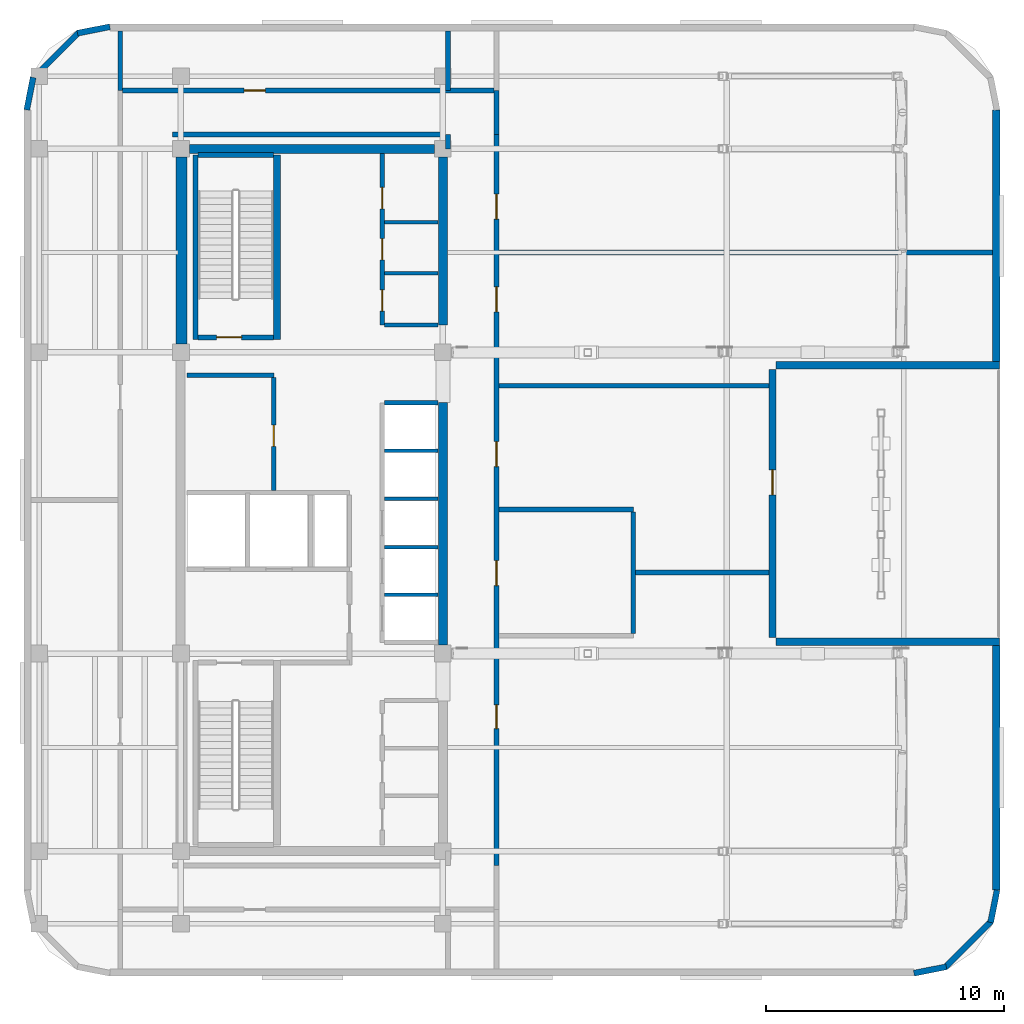
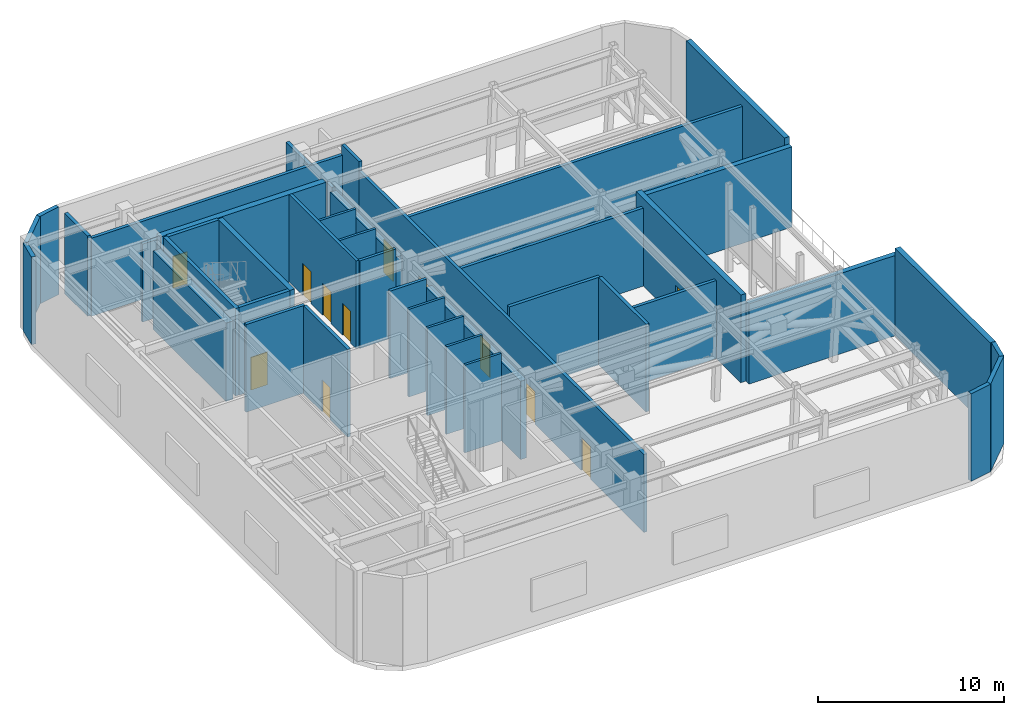
# One storey, part 7 of 12: 42 walls, 12 doors, 12 openings.
"""IFC4 building model written with IfcOpenShell, lengths in metres."""

from ifc_helpers import new_model, si_unit, direction, frame, frame_2d, origin, place, context, subcontext, project, spatial, rectangle, extrude, material, layer, layer_set, type_object, element, fill, save


model = new_model("IFC4")

# Units and contexts
model_context = context("Model", 3, precision=1e-05, world=origin(), true_north=direction((0.0, 1.0)))
body_context = subcontext(model_context, "Body", "Model", "MODEL_VIEW")
ifc_project = project(units=[si_unit("LENGTHUNIT", "METRE"), si_unit("AREAUNIT", "SQUARE_METRE"), si_unit("VOLUMEUNIT", "CUBIC_METRE"), si_unit("PLANEANGLEUNIT", "RADIAN"), si_unit("MASSUNIT", "GRAM", prefix="KILO")], contexts=[model_context])

# Site, building, storey
site_placement = place(None, origin())
site = spatial("IfcSite", under=ifc_project, at=site_placement, CompositionType="ELEMENT")
building_placement = place(site_placement, origin())
building = spatial("IfcBuilding", under=site, at=building_placement, Name="Ochreholt Gables", CompositionType="ELEMENT")
storey_placement = place(building_placement, frame((0.0, 0.0, 199.800048828125)))
storey = spatial("IfcBuildingStorey", under=building, at=storey_placement, Name="L52", CompositionType="ELEMENT", Elevation=199.800048828125)

# Walls
ifc_material_1 = material(Name="Concrete 50 MPa", Category="concrete")
ifc_layer_1 = layer(ifc_material_1, 0.3798828125, Name="Concrete 50 MPa")
ifc_layer_set_1 = layer_set([ifc_layer_1], Name="Concrete 50 MPa")
wall_type_1 = type_object("IfcWallType", Name="WALL-CSW-380", PredefinedType="SHEAR", material=ifc_layer_set_1)
wall_1_placement = place(storey_placement, frame((35.2099609375, 17.89990234375, 0.0), z_axis=(0.0, 0.0, 1.0), x_axis=(0.0, 1.0, 0.0)))
element("IfcWall", 1, at=wall_1_placement, inside=storey, type_object=wall_type_1, Name="L52 Core Central-East Shear Wall", PredefinedType="SHEAR", context=body_context, shape_type="SweptSolid", body=[
    extrude(rectangle(XDim=10.2001953125, YDim=0.3798828125, at=frame_2d((5.10009765625, 0.0))), origin(), (0.0, 0.0, 1.0), 5.14794921875),
])
wall_2_placement = place(storey_placement, frame((35.2099609375, 31.35009765625, 0.0), z_axis=(0.0, 0.0, 1.0), x_axis=(0.0, 1.0, 0.0)))
element("IfcWall", 2, at=wall_2_placement, inside=storey, type_object=wall_type_1, Name="L52 Core North-East Shear Wall", PredefinedType="SHEAR", context=body_context, shape_type="SweptSolid", body=[
    extrude(rectangle(XDim=7.0498046875, YDim=0.3798828125, at=frame_2d((3.52490234375, 0.0))), origin(), (0.0, 0.0, 1.0), 5.14794921875),
])
wall_3_placement = place(storey_placement, frame((24.550048828125, 38.75, 0.0), z_axis=(0.0, 0.0, 1.0), x_axis=(1.0, 0.0, 0.0)))
element("IfcWall", 3, at=wall_3_placement, inside=storey, type_object=wall_type_1, Name="L52 Core North Shear Wall", PredefinedType="SHEAR", context=body_context, shape_type="SweptSolid", body=[
    extrude(rectangle(XDim=10.300048828125, YDim=0.3798828125, at=frame_2d((5.14990234375, 0.0))), origin(), (0.0, 0.0, 1.0), 5.760009765625),
])
ifc_material_2 = material(Name="Concrete 60 MPa", Category="concrete")
ifc_layer_2 = layer(ifc_material_2, 0.449951171875, Name="Concrete 60 MPa")
ifc_layer_set_2 = layer_set([ifc_layer_2], Name="Concrete 60 MPa")
wall_type_2 = type_object("IfcWallType", Name="WALL-CSW-450", PredefinedType="SHEAR", material=ifc_layer_set_2)
wall_4_placement = place(storey_placement, frame((24.22509765625, 30.550048828125, 0.0), z_axis=(0.0, 0.0, 1.0), x_axis=(0.0, 1.0, 0.0)))
element("IfcWall", 4, at=wall_4_placement, inside=storey, type_object=wall_type_2, Name="L52 Core West Shear Wall WN", PredefinedType="SHEAR", context=body_context, shape_type="SweptSolid", body=[
    extrude(rectangle(XDim=7.849853515625, YDim=0.449951171875, at=frame_2d((3.9248046875, 0.0))), origin(), (0.0, 0.0, 1.0), 5.14794921875),
])
ifc_material_3 = material(Name="Precast concrete 40 MPa", Category="concrete")
ifc_layer_3 = layer(ifc_material_3, 0.25, Name="Precast concrete 40 MPa")
ifc_layer_set_3 = layer_set([ifc_layer_3], Name="Precast concrete 40 MPa")
wall_type_3 = type_object("IfcWallType", Name="WALL-EXT-CNR", PredefinedType="SOLIDWALL", material=ifc_layer_set_3)
wall_5_placement = place(storey_placement, frame((54.9833984375, 4.124267578125, 0.0), z_axis=(0.0, 0.0, 1.0), x_axis=(0.980809899341, 0.19496651342, 0.0)))
element("IfcWall", 5, at=wall_5_placement, inside=storey, type_object=wall_type_3, Name="L52 Rounded Corner Wall SE-1", PredefinedType="SOLIDWALL", context=body_context, shape_type="SweptSolid", body=[
    extrude(rectangle(XDim=1.388671875, YDim=0.25, at=frame_2d((0.6943359375, 0.0))), origin(), (0.0, 0.0, 1.0), 5.760009765625),
])
wall_6_placement = place(storey_placement, frame((56.294921875, 4.367919921875, 0.0), z_axis=(0.0, 0.0, 1.0), x_axis=(0.707106781187, 0.707106781187, 0.0)))
element("IfcWall", 6, at=wall_6_placement, inside=storey, type_object=wall_type_3, Name="L52 Rounded Corner Wall SE-2", PredefinedType="SOLIDWALL", context=body_context, shape_type="SweptSolid", body=[
    extrude(rectangle(XDim=2.7392578125, YDim=0.25, at=frame_2d((1.36962890625, 0.0))), origin(), (0.0, 0.0, 1.0), 5.760009765625),
])
for number, where, z_axis, x_axis, name in (
    (7, (58.205078125, 6.25439453125, 0.0), (0.0, 0.0, 1.0), (0.19496651342, 0.980809899341, 0.0), "L52 Rounded Corner Wall SE-3"),
    (8, (21.216552734375, 43.875732421875, 0.0), (0.0, 0.0, 1.0), (-0.980809899341, -0.19496651342, 0.0), "L52 Rounded Corner Wall NW-1"),
):
    element("IfcWall", number, at=place(storey_placement, frame(where, z_axis=z_axis, x_axis=x_axis)), inside=storey, type_object=wall_type_3, Name=name, PredefinedType="SOLIDWALL", context=body_context, shape_type="SweptSolid", body=[
        extrude(rectangle(XDim=1.388671875, YDim=0.25, at=frame_2d((0.6943359375, 0.0))), origin(), (0.0, 0.0, 1.0), 5.760009765625),
    ])
wall_7_placement = place(storey_placement, frame((19.905029296875, 43.632080078125, 0.0), z_axis=(0.0, 0.0, 1.0), x_axis=(-0.707106781187, -0.707106781187, 0.0)))
element("IfcWall", 9, at=wall_7_placement, inside=storey, type_object=wall_type_3, Name="L52 Rounded Corner Wall NW-2", PredefinedType="SOLIDWALL", context=body_context, shape_type="SweptSolid", body=[
    extrude(rectangle(XDim=2.7392578125, YDim=0.25, at=frame_2d((1.36962890625, 0.0))), origin(), (0.0, 0.0, 1.0), 5.760009765625),
])
wall_8_placement = place(storey_placement, frame((17.9951171875, 41.74560546875, 0.0), z_axis=(0.0, 0.0, 1.0), x_axis=(-0.195135625965, -0.9807762678, 0.0)))
element("IfcWall", 10, at=wall_8_placement, inside=storey, type_object=wall_type_3, Name="L52 Rounded Corner Wall NW-3", PredefinedType="SOLIDWALL", context=body_context, shape_type="SweptSolid", body=[
    extrude(rectangle(XDim=1.388671875, YDim=0.25, at=frame_2d((0.6943359375, 0.0))), origin(), (0.0, 0.0, 1.0), 5.760009765625),
])
ifc_material_4 = material(Name="Precast concrete 50 MPa", Category="concrete")
ifc_layer_4 = layer(ifc_material_4, 0.31005859375, Name="Precast concrete 50 MPa")
ifc_layer_set_4 = layer_set([ifc_layer_4], Name="Precast concrete 50 MPa")
wall_type_4 = type_object("IfcWallType", Name="WALL-EXT-PLT", PredefinedType="SOLIDWALL", material=ifc_layer_set_4)
wall_9_placement = place(storey_placement, frame((58.445068359375, 7.6201171875, 0.0), z_axis=(0.0, 0.0, 1.0), x_axis=(0.0, 1.0, 0.0)))
element("IfcWall", 11, at=wall_9_placement, inside=storey, type_object=wall_type_4, Name="L52 South-East Plant Facade Wall", PredefinedType="SOLIDWALL", context=body_context, shape_type="SweptSolid", body=[
    extrude(rectangle(XDim=10.269775390625, YDim=0.31005859375, at=frame_2d((5.134765625, 0.0))), origin(), (0.0, 0.0, 1.0), 5.760009765625),
])
for number, where, z_axis, x_axis, name in (
    (12, (49.199951171875, 18.044921875, 0.0), (0.0, 0.0, 1.0), (1.0, 0.0, 0.0), "L52 Wind Turbine Slot South Shroud Wall"),
    (13, (49.199951171875, 29.655029296875, 0.0), (0.0, 0.0, 1.0), (1.0, 0.0, 0.0), "L52 Wind Turbine Slot North Shroud Wall"),
):
    element("IfcWall", number, at=place(storey_placement, frame(where, z_axis=z_axis, x_axis=x_axis)), inside=storey, type_object=wall_type_4, Name=name, PredefinedType="SOLIDWALL", context=body_context, shape_type="SweptSolid", body=[
        extrude(rectangle(XDim=9.380126953125, YDim=0.31005859375, at=frame_2d((4.68994140625, 0.0))), origin(), (0.0, 0.0, 1.0), 5.279052734375),
    ])

# Wall, opening, door
wall_10_placement = place(storey_placement, frame((49.044921875, 18.219970703125, 0.0), z_axis=(0.0, 0.0, 1.0), x_axis=(0.0, 1.0, 0.0)))
wall_10 = element("IfcWall", 14, at=wall_10_placement, inside=storey, type_object=wall_type_4, Name="L52 Wind Turbine Deck Rear Enclosure Wall", PredefinedType="SOLIDWALL", context=body_context, shape_type="SweptSolid", body=[
    extrude(rectangle(XDim=11.260009765625, YDim=0.31005859375, at=frame_2d((5.6298828125, 0.0))), origin(), (0.0, 0.0, 1.0), 5.760009765625),
])
opening_1_placement = place(wall_10_placement, frame((6.0, 0.0, 0.0)))
opening_1 = element("IfcOpeningElement", 15, at=opening_1_placement, cuts=wall_10, Name="Opening D-TR1", PredefinedType="OPENING", context=body_context, shape_type="SweptSolid", body=[
    extrude(rectangle(XDim=1.050048828125, YDim=2.14990234375, at=frame_2d((0.52490234375, 1.074951171875))), frame((0.0, 0.1650390625, 0.0), z_axis=(0.0, -1.0, 0.0), x_axis=(1.0, 0.0, 0.0)), (0.0, 0.0, 1.0), 0.330078125),
])
ifc_material_5 = material(Name="Thermally Broken Insulated Steel and Glass Door", Category="steel")
door_type_1 = type_object("IfcDoorType", Name="DR-EXT-TER1050", OperationType="NOTDEFINED", PredefinedType="DOOR", material=ifc_material_5)
door_1_placement = place(opening_1_placement, origin())
door_1 = element("IfcDoor", 16, at=door_1_placement, inside=storey, type_object=door_type_1, Name="L52 Wind Turbine Deck Access Door", OperationType="SINGLE_SWING_RIGHT", OverallHeight=2.14990234375, OverallWidth=1.050048828125, PredefinedType="DOOR", context=body_context, shape_type="SweptSolid", body=[
    extrude(rectangle(XDim=1.050048828125, YDim=2.14990234375, at=frame_2d((0.52490234375, 1.074951171875))), frame((0.0, 0.02490234375, 0.0), z_axis=(0.0, -1.0, 0.0), x_axis=(1.0, 0.0, 0.0)), (0.0, 0.0, 1.0), 0.050048828125),
])
fill(opening_1, door_1)

# Walls
wall_11_placement = place(storey_placement, frame((58.445068359375, 29.81005859375, 0.0), z_axis=(0.0, 0.0, 1.0), x_axis=(0.0, 1.0, 0.0)))
element("IfcWall", 17, at=wall_11_placement, inside=storey, type_object=wall_type_4, Name="L52 North-East Plant Facade Wall", PredefinedType="SOLIDWALL", context=body_context, shape_type="SweptSolid", body=[
    extrude(rectangle(XDim=10.56982421875, YDim=0.31005859375, at=frame_2d((5.284912109375, 0.0))), origin(), (0.0, 0.0, 1.0), 5.760009765625),
])
ifc_material_6 = material(Name="Concrete 40 MPa", Category="concrete")
ifc_layer_5 = layer(ifc_material_6, 0.199951171875, Name="Concrete 40 MPa")
ifc_layer_set_5 = layer_set([ifc_layer_5], Name="Concrete 40 MPa")
wall_type_5 = type_object("IfcWallType", Name="WALL-INT-CF200", PredefinedType="STANDARD", material=ifc_layer_set_5)
wall_12_placement = place(storey_placement, frame((24.449951171875, 29.239990234375, 0.0), z_axis=(0.0, 0.0, 1.0), x_axis=(1.0, 0.0, 0.0)))
element("IfcWall", 18, at=wall_12_placement, inside=storey, type_object=wall_type_5, Name="L52 Interior Wall WI-SRVN-L52", PredefinedType="STANDARD", context=body_context, shape_type="SweptSolid", body=[
    extrude(rectangle(XDim=3.650146484375, YDim=0.199951171875, at=frame_2d((1.8251953125, 0.0))), origin(), (0.0, 0.0, 1.0), 5.760009765625),
])

# Wall, opening, door
wall_13_placement = place(storey_placement, frame((28.10009765625, 24.389892578125, 0.0), z_axis=(0.0, 0.0, 1.0), x_axis=(0.0, 1.0, 0.0)))
wall_13 = element("IfcWall", 19, at=wall_13_placement, inside=storey, type_object=wall_type_5, Name="L52 Interior Wall WI-SRVE-L52", PredefinedType="STANDARD", context=body_context, shape_type="SweptSolid", body=[
    extrude(rectangle(XDim=4.75, YDim=0.199951171875, at=frame_2d((2.375, 0.0))), origin(), (0.0, 0.0, 1.0), 5.760009765625),
])
opening_2_placement = place(wall_13_placement, frame((1.860107421875, 0.0, 0.0)))
opening_2 = element("IfcOpeningElement", 20, at=opening_2_placement, cuts=wall_13, Name="Opening D-SV1", PredefinedType="OPENING", context=body_context, shape_type="SweptSolid", body=[
    extrude(rectangle(XDim=0.89990234375, YDim=2.10009765625, at=frame_2d((0.449951171875, 1.050048828125))), frame((0.0, 0.10986328125, 0.0), z_axis=(0.0, -1.0, 0.0), x_axis=(1.0, 0.0, 0.0)), (0.0, 0.0, 1.0), 0.219970703125),
])
ifc_material_7 = material(Name="Hollow Metal Steel", Category="steel")
door_type_2 = type_object("IfcDoorType", Name="DR-INT-SRV900", OperationType="NOTDEFINED", PredefinedType="DOOR", material=ifc_material_7)
door_2_placement = place(opening_2_placement, origin())
door_2 = element("IfcDoor", 21, at=door_2_placement, inside=storey, type_object=door_type_2, Name="L52 Door D-SRV1-L52", OperationType="SINGLE_SWING_LEFT", OverallHeight=2.10009765625, OverallWidth=0.89990234375, PredefinedType="DOOR", context=body_context, shape_type="SweptSolid", body=[
    extrude(rectangle(XDim=0.89990234375, YDim=2.10009765625, at=frame_2d((0.449951171875, 1.050048828125))), frame((0.0, 0.02490234375, 0.0), z_axis=(0.0, -1.0, 0.0), x_axis=(1.0, 0.0, 0.0)), (0.0, 0.0, 1.0), 0.050048828125),
])
fill(opening_2, door_2)

# Wall, openings, doors
wall_14_placement = place(storey_placement, frame((37.449951171875, 8.64990234375, 0.0), z_axis=(0.0, 0.0, 1.0), x_axis=(0.0, 1.0, 0.0)))
wall_14 = element("IfcWall", 22, at=wall_14_placement, inside=storey, type_object=wall_type_5, Name="L52 Interior Wall WI-PLCE-L52", PredefinedType="STANDARD", context=body_context, shape_type="SweptSolid", body=[
    extrude(rectangle(XDim=30.7001953125, YDim=0.199951171875, at=frame_2d((15.35009765625, 0.0))), origin(), (0.0, 0.0, 1.0), 5.1298828125),
])
opening_3_placement = place(wall_14_placement, frame((11.75, 0.0, 0.0)))
opening_3 = element("IfcOpeningElement", 23, at=opening_3_placement, cuts=wall_14, Name="Opening D-FLB", PredefinedType="OPENING", context=body_context, shape_type="SweptSolid", body=[
    extrude(rectangle(XDim=1.050048828125, YDim=2.14990234375, at=frame_2d((0.52490234375, 1.074951171875))), frame((0.0, 0.10986328125, 0.0), z_axis=(0.0, -1.0, 0.0), x_axis=(1.0, 0.0, 0.0)), (0.0, 0.0, 1.0), 0.219970703125),
])
opening_4_placement = place(wall_14_placement, frame((5.75, 0.0, 0.0)))
opening_4 = element("IfcOpeningElement", 24, at=opening_4_placement, cuts=wall_14, Name="Opening D-SV3", PredefinedType="OPENING", context=body_context, shape_type="SweptSolid", body=[
    extrude(rectangle(XDim=1.0, YDim=2.14990234375, at=frame_2d((0.5, 1.074951171875))), frame((0.0, 0.10986328125, 0.0), z_axis=(0.0, -1.0, 0.0), x_axis=(1.0, 0.0, 0.0)), (0.0, 0.0, 1.0), 0.219970703125),
])
opening_5_placement = place(wall_14_placement, frame((16.75, 0.0, 0.0)))
opening_5 = element("IfcOpeningElement", 25, at=opening_5_placement, cuts=wall_14, Name="Opening D-SV4", PredefinedType="OPENING", context=body_context, shape_type="SweptSolid", body=[
    extrude(rectangle(XDim=1.050048828125, YDim=2.14990234375, at=frame_2d((0.52490234375, 1.074951171875))), frame((0.0, 0.10986328125, 0.0), z_axis=(0.0, -1.0, 0.0), x_axis=(1.0, 0.0, 0.0)), (0.0, 0.0, 1.0), 0.219970703125),
])
opening_6_placement = place(wall_14_placement, frame((23.25, 0.0, 0.0)))
opening_6 = element("IfcOpeningElement", 26, at=opening_6_placement, cuts=wall_14, Name="Opening D-SV4", PredefinedType="OPENING", context=body_context, shape_type="SweptSolid", body=[
    extrude(rectangle(XDim=1.050048828125, YDim=2.14990234375, at=frame_2d((0.52490234375, 1.074951171875))), frame((0.0, 0.10986328125, 0.0), z_axis=(0.0, -1.0, 0.0), x_axis=(1.0, 0.0, 0.0)), (0.0, 0.0, 1.0), 0.219970703125),
])
opening_7_placement = place(wall_14_placement, frame((27.14990234375, 0.0, 0.0)))
opening_7 = element("IfcOpeningElement", 27, at=opening_7_placement, cuts=wall_14, Name="Opening D-SV4", PredefinedType="OPENING", context=body_context, shape_type="SweptSolid", body=[
    extrude(rectangle(XDim=1.050048828125, YDim=2.14990234375, at=frame_2d((0.52490234375, 1.074951171875))), frame((0.0, 0.10986328125, 0.0), z_axis=(0.0, -1.0, 0.0), x_axis=(1.0, 0.0, 0.0)), (0.0, 0.0, 1.0), 0.219970703125),
])
door_type_3 = type_object("IfcDoorType", Name="DR-INT-FLB1050", OperationType="NOTDEFINED", PredefinedType="DOOR", material=ifc_material_7)
door_3_placement = place(opening_3_placement, origin())
door_3 = element("IfcDoor", 28, at=door_3_placement, inside=storey, type_object=door_type_3, Name="L52 Door D-PLRF-L52", OperationType="SINGLE_SWING_LEFT", OverallHeight=2.14990234375, OverallWidth=1.050048828125, PredefinedType="DOOR", context=body_context, shape_type="SweptSolid", body=[
    extrude(rectangle(XDim=1.050048828125, YDim=2.14990234375, at=frame_2d((0.52490234375, 1.074951171875))), frame((0.0, 0.02490234375, 0.0), z_axis=(0.0, -1.0, 0.0), x_axis=(1.0, 0.0, 0.0)), (0.0, 0.0, 1.0), 0.050048828125),
])
fill(opening_3, door_3)
door_type_4 = type_object("IfcDoorType", Name="DR-INT-SRV1000", OperationType="NOTDEFINED", PredefinedType="DOOR", material=ifc_material_7)
door_4_placement = place(opening_4_placement, origin())
door_4 = element("IfcDoor", 29, at=door_4_placement, inside=storey, type_object=door_type_4, Name="L52 Door D-PL1-L52", OperationType="SINGLE_SWING_RIGHT", OverallHeight=2.14990234375, OverallWidth=1.0, PredefinedType="DOOR", context=body_context, shape_type="SweptSolid", body=[
    extrude(rectangle(XDim=1.0, YDim=2.14990234375, at=frame_2d((0.5, 1.074951171875))), frame((0.0, 0.02490234375, 0.0), z_axis=(0.0, -1.0, 0.0), x_axis=(1.0, 0.0, 0.0)), (0.0, 0.0, 1.0), 0.050048828125),
])
fill(opening_4, door_4)
door_type_5 = type_object("IfcDoorType", Name="DR-INT-SRV1050", OperationType="NOTDEFINED", PredefinedType="DOOR", material=ifc_material_7)
door_5_placement = place(opening_5_placement, origin())
door_5 = element("IfcDoor", 30, at=door_5_placement, inside=storey, type_object=door_type_5, Name="L52 Door D-PL2-L52", OperationType="SINGLE_SWING_LEFT", OverallHeight=2.14990234375, OverallWidth=1.050048828125, PredefinedType="DOOR", context=body_context, shape_type="SweptSolid", body=[
    extrude(rectangle(XDim=1.050048828125, YDim=2.14990234375, at=frame_2d((0.52490234375, 1.074951171875))), frame((0.0, 0.02490234375, 0.0), z_axis=(0.0, -1.0, 0.0), x_axis=(1.0, 0.0, 0.0)), (0.0, 0.0, 1.0), 0.050048828125),
])
fill(opening_5, door_5)
door_6_placement = place(opening_6_placement, origin())
door_6 = element("IfcDoor", 31, at=door_6_placement, inside=storey, type_object=door_type_5, Name="L52 Door D-PL3-L52", OperationType="SINGLE_SWING_RIGHT", OverallHeight=2.14990234375, OverallWidth=1.050048828125, PredefinedType="DOOR", context=body_context, shape_type="SweptSolid", body=[
    extrude(rectangle(XDim=1.050048828125, YDim=2.14990234375, at=frame_2d((0.52490234375, 1.074951171875))), frame((0.0, 0.02490234375, 0.0), z_axis=(0.0, -1.0, 0.0), x_axis=(1.0, 0.0, 0.0)), (0.0, 0.0, 1.0), 0.050048828125),
])
fill(opening_6, door_6)
door_7_placement = place(opening_7_placement, origin())
door_7 = element("IfcDoor", 32, at=door_7_placement, inside=storey, type_object=door_type_5, Name="L52 Door D-PL4-L52", OperationType="SINGLE_SWING_LEFT", OverallHeight=2.14990234375, OverallWidth=1.050048828125, PredefinedType="DOOR", context=body_context, shape_type="SweptSolid", body=[
    extrude(rectangle(XDim=1.050048828125, YDim=2.14990234375, at=frame_2d((0.52490234375, 1.074951171875))), frame((0.0, 0.02490234375, 0.0), z_axis=(0.0, -1.0, 0.0), x_axis=(1.0, 0.0, 0.0)), (0.0, 0.0, 1.0), 0.050048828125),
])
fill(opening_7, door_7)

# Walls
wall_15_placement = place(storey_placement, frame((37.449951171875, 39.35009765625, 0.0), z_axis=(0.0, 0.0, 1.0), x_axis=(0.0, 1.0, 0.0)))
element("IfcWall", 33, at=wall_15_placement, inside=storey, type_object=wall_type_5, Name="L52 Interior Wall WI-PLCEN0-L52", PredefinedType="STANDARD", context=body_context, shape_type="SweptSolid", body=[
    extrude(rectangle(XDim=1.849853515625, YDim=0.199951171875, at=frame_2d((0.9248046875, 0.0))), origin(), (0.0, 0.0, 1.0), 5.760009765625),
])
wall_16_placement = place(storey_placement, frame((35.419921875, 38.75, 0.0), z_axis=(0.0, 0.0, 1.0), x_axis=(0.0, 1.0, 0.0)))
element("IfcWall", 34, at=wall_16_placement, inside=storey, type_object=wall_type_5, Name="L52 Interior Wall WI-PLCNW1-L52", PredefinedType="STANDARD", context=body_context, shape_type="SweptSolid", body=[
    extrude(rectangle(XDim=0.60009765625, YDim=0.199951171875, at=frame_2d((0.300048828125, 0.0))), origin(), (0.0, 0.0, 1.0), 5.1298828125),
])
wall_17_placement = place(storey_placement, frame((35.419921875, 41.199951171875, 0.0), z_axis=(0.0, 0.0, 1.0), x_axis=(0.0, 1.0, 0.0)))
element("IfcWall", 35, at=wall_17_placement, inside=storey, type_object=wall_type_5, Name="L52 Interior Wall WI-PLCNW0-L52", PredefinedType="STANDARD", context=body_context, shape_type="SweptSolid", body=[
    extrude(rectangle(XDim=2.489990234375, YDim=0.199951171875, at=frame_2d((1.2451171875, 0.0))), origin(), (0.0, 0.0, 1.0), 5.1298828125),
])
wall_18_placement = place(storey_placement, frame((37.550048828125, 23.60009765625, 0.0), z_axis=(0.0, 0.0, 1.0), x_axis=(1.0, 0.0, 0.0)))
element("IfcWall", 36, at=wall_18_placement, inside=storey, type_object=wall_type_5, Name="L52 Interior Wall WI-PLRFN-L52", PredefinedType="STANDARD", context=body_context, shape_type="SweptSolid", body=[
    extrude(rectangle(XDim=5.64990234375, YDim=0.199951171875, at=frame_2d((2.824951171875, 0.0))), origin(), (0.0, 0.0, 1.0), 5.760009765625),
])
wall_19_placement = place(storey_placement, frame((43.199951171875, 18.39990234375, 0.0), z_axis=(0.0, 0.0, 1.0), x_axis=(0.0, 1.0, 0.0)))
element("IfcWall", 37, at=wall_19_placement, inside=storey, type_object=wall_type_5, Name="L52 Interior Wall WI-PLRFE-L52", PredefinedType="STANDARD", context=body_context, shape_type="SweptSolid", body=[
    extrude(rectangle(XDim=5.10009765625, YDim=0.199951171875, at=frame_2d((2.550048828125, 0.0))), origin(), (0.0, 0.0, 1.0), 5.760009765625),
])
wall_20_placement = place(storey_placement, frame((43.300048828125, 20.949951171875, 0.0), z_axis=(0.0, 0.0, 1.0), x_axis=(1.0, 0.0, 0.0)))
element("IfcWall", 38, at=wall_20_placement, inside=storey, type_object=wall_type_5, Name="L52 Interior Wall WI-PLE0-L52", PredefinedType="STANDARD", context=body_context, shape_type="SweptSolid", body=[
    extrude(rectangle(XDim=5.58984375, YDim=0.199951171875, at=frame_2d((2.794921875, 0.0))), origin(), (0.0, 0.0, 1.0), 5.1298828125),
])
wall_21_placement = place(storey_placement, frame((37.550048828125, 28.800048828125, 0.0), z_axis=(0.0, 0.0, 1.0), x_axis=(1.0, 0.0, 0.0)))
element("IfcWall", 39, at=wall_21_placement, inside=storey, type_object=wall_type_5, Name="L52 Interior Wall WI-PLE1-L52", PredefinedType="STANDARD", context=body_context, shape_type="SweptSolid", body=[
    extrude(rectangle(XDim=11.33984375, YDim=0.199951171875, at=frame_2d((5.669921875, 0.0))), origin(), (0.0, 0.0, 1.0), 5.1298828125),
])
wall_22_placement = place(storey_placement, frame((37.550048828125, 34.39990234375, 0.0), z_axis=(0.0, 0.0, 1.0), x_axis=(1.0, 0.0, 0.0)))
element("IfcWall", 40, at=wall_22_placement, inside=storey, type_object=wall_type_5, Name="L52 Interior Wall WI-PLE2-L52", PredefinedType="STANDARD", context=body_context, shape_type="SweptSolid", body=[
    extrude(rectangle(XDim=20.739990234375, YDim=0.199951171875, at=frame_2d((10.3701171875, 0.0))), origin(), (0.0, 0.0, 1.0), 5.1298828125),
])

# Wall, opening, door
wall_23_placement = place(storey_placement, frame((21.75, 41.199951171875, 0.0), z_axis=(0.0, 0.0, 1.0), x_axis=(1.0, 0.0, 0.0)))
wall_23 = element("IfcWall", 41, at=wall_23_placement, inside=storey, type_object=wall_type_5, Name="L52 Interior Wall WI-PLCN-L52", PredefinedType="STANDARD", context=body_context, shape_type="SweptSolid", body=[
    extrude(rectangle(XDim=15.60009765625, YDim=0.199951171875, at=frame_2d((7.800048828125, 0.0))), origin(), (0.0, 0.0, 1.0), 5.1298828125),
])
opening_8_placement = place(wall_23_placement, frame((5.10009765625, 0.0, 0.0)))
opening_8 = element("IfcOpeningElement", 42, at=opening_8_placement, cuts=wall_23, Name="Opening D-SV1", PredefinedType="OPENING", context=body_context, shape_type="SweptSolid", body=[
    extrude(rectangle(XDim=0.89990234375, YDim=2.10009765625, at=frame_2d((0.449951171875, 1.050048828125))), frame((0.0, 0.10986328125, 0.0), z_axis=(0.0, -1.0, 0.0), x_axis=(1.0, 0.0, 0.0)), (0.0, 0.0, 1.0), 0.219970703125),
])
door_8_placement = place(opening_8_placement, origin())
door_8 = element("IfcDoor", 43, at=door_8_placement, inside=storey, type_object=door_type_2, Name="L52 Door D-PLN0-L52", OperationType="SINGLE_SWING_RIGHT", OverallHeight=2.10009765625, OverallWidth=0.89990234375, PredefinedType="DOOR", context=body_context, shape_type="SweptSolid", body=[
    extrude(rectangle(XDim=0.89990234375, YDim=2.10009765625, at=frame_2d((0.449951171875, 1.050048828125))), frame((0.0, 0.02490234375, 0.0), z_axis=(0.0, -1.0, 0.0), x_axis=(1.0, 0.0, 0.0)), (0.0, 0.0, 1.0), 0.050048828125),
])
fill(opening_8, door_8)

# Walls
wall_24_placement = place(storey_placement, frame((23.85009765625, 39.35009765625, 0.0), z_axis=(0.0, 0.0, 1.0), x_axis=(1.0, 0.0, 0.0)))
element("IfcWall", 44, at=wall_24_placement, inside=storey, type_object=wall_type_5, Name="L52 Interior Wall WI-PLCN2-L52", PredefinedType="STANDARD", context=body_context, shape_type="SweptSolid", body=[
    extrude(rectangle(XDim=11.469970703125, YDim=0.199951171875, at=frame_2d((5.73486328125, 0.0))), origin(), (0.0, 0.0, 1.0), 5.1298828125),
])
wall_25_placement = place(storey_placement, frame((21.64990234375, 41.199951171875, 0.0), z_axis=(0.0, 0.0, 1.0), x_axis=(0.0, 1.0, 0.0)))
element("IfcWall", 45, at=wall_25_placement, inside=storey, type_object=wall_type_5, Name="L52 Interior Wall WI-PLCWN-L52", PredefinedType="STANDARD", context=body_context, shape_type="SweptSolid", body=[
    extrude(rectangle(XDim=2.489990234375, YDim=0.199951171875, at=frame_2d((1.2451171875, 0.0))), origin(), (0.0, 0.0, 1.0), 5.279052734375),
])
ifc_material_8 = material(Name="Gypsum Shaftliner and Steel Stud", Category="steel")
ifc_layer_6 = layer(ifc_material_8, 0.14990234375, Name="Gypsum Shaftliner and Steel Stud")
ifc_layer_set_6 = layer_set([ifc_layer_6], Name="Gypsum Shaftliner and Steel Stud")
wall_type_6 = type_object("IfcWallType", Name="WALL-INT-SH150", PredefinedType="STANDARD", material=ifc_layer_set_6)
for number, where, z_axis, x_axis, name in (
    (46, (32.739990234375, 20.02001953125, 0.0), (0.0, 0.0, 1.0), (1.0, 0.0, 0.0), "L52 Interior Wall WI-LFHE-DH1-L52"),
    (47, (32.739990234375, 22.02001953125, 0.0), (0.0, 0.0, 1.0), (1.0, 0.0, 0.0), "L52 Interior Wall WI-LFHE-DH2-L52"),
    (48, (32.739990234375, 24.050048828125, 0.0), (0.0, 0.0, 1.0), (1.0, 0.0, 0.0), "L52 Interior Wall WI-LFHE-DHE-L52"),
    (49, (32.739990234375, 26.070068359375, 0.0), (0.0, 0.0, 1.0), (1.0, 0.0, 0.0), "L52 Interior Wall WI-LFHE-DEX1-L52"),
    (50, (32.739990234375, 33.52001953125, 0.0), (0.0, 0.0, 1.0), (1.0, 0.0, 0.0), "L52 Interior Wall WI-LFM-D1-L52"),
    (51, (32.739990234375, 35.669921875, 0.0), (0.0, 0.0, 1.0), (1.0, 0.0, 0.0), "L52 Interior Wall WI-LFM-D2-L52"),
):
    element("IfcWall", number, at=place(storey_placement, frame(where, z_axis=z_axis, x_axis=x_axis)), inside=storey, type_object=wall_type_6, Name=name, PredefinedType="STANDARD", context=body_context, shape_type="SweptSolid", body=[
        extrude(rectangle(XDim=2.260009765625, YDim=0.14990234375, at=frame_2d((1.1298828125, 0.0))), origin(), (0.0, 0.0, 1.0), 5.760009765625),
    ])
ifc_layer_7 = layer(ifc_material_8, 0.179931640625, Name="Gypsum Shaftliner and Steel Stud")
ifc_layer_set_7 = layer_set([ifc_layer_7], Name="Gypsum Shaftliner and Steel Stud")
wall_type_7 = type_object("IfcWallType", Name="WALL-INT-SH180", PredefinedType="STANDARD", material=ifc_layer_set_7)
wall_26_placement = place(storey_placement, frame((32.739990234375, 28.080078125, 0.0), z_axis=(0.0, 0.0, 1.0), x_axis=(1.0, 0.0, 0.0)))
element("IfcWall", 52, at=wall_26_placement, inside=storey, type_object=wall_type_7, Name="L52 Interior Wall WI-LFHE-N-L52", PredefinedType="STANDARD", context=body_context, shape_type="SweptSolid", body=[
    extrude(rectangle(XDim=2.260009765625, YDim=0.179931640625, at=frame_2d((1.1298828125, 0.0))), origin(), (0.0, 0.0, 1.0), 5.760009765625),
])

# Wall, openings, doors
wall_27_placement = place(storey_placement, frame((32.64990234375, 31.35009765625, 0.0), z_axis=(0.0, 0.0, 1.0), x_axis=(0.0, 1.0, 0.0)))
wall_27 = element("IfcWall", 53, at=wall_27_placement, inside=storey, type_object=wall_type_7, Name="L52 Interior Wall WI-LFM-FR-L52", PredefinedType="STANDARD", context=body_context, shape_type="SweptSolid", body=[
    extrude(rectangle(XDim=7.2099609375, YDim=0.179931640625, at=frame_2d((3.60498046875, 0.0))), origin(), (0.0, 0.0, 1.0), 5.760009765625),
])
opening_9_placement = place(wall_27_placement, frame((0.580078125, 0.0, 0.0)))
opening_9 = element("IfcOpeningElement", 54, at=opening_9_placement, cuts=wall_27, Name="Opening D-SV1", PredefinedType="OPENING", context=body_context, shape_type="SweptSolid", body=[
    extrude(rectangle(XDim=0.89990234375, YDim=2.10009765625, at=frame_2d((0.449951171875, 1.050048828125))), frame((0.0, 0.099853515625, 0.0), z_axis=(0.0, -1.0, 0.0), x_axis=(1.0, 0.0, 0.0)), (0.0, 0.0, 1.0), 0.199951171875),
])
opening_10_placement = place(wall_27_placement, frame((2.72998046875, 0.0, 0.0)))
opening_10 = element("IfcOpeningElement", 55, at=opening_10_placement, cuts=wall_27, Name="Opening D-SV1", PredefinedType="OPENING", context=body_context, shape_type="SweptSolid", body=[
    extrude(rectangle(XDim=0.89990234375, YDim=2.10009765625, at=frame_2d((0.449951171875, 1.050048828125))), frame((0.0, 0.099853515625, 0.0), z_axis=(0.0, -1.0, 0.0), x_axis=(1.0, 0.0, 0.0)), (0.0, 0.0, 1.0), 0.199951171875),
])
opening_11_placement = place(wall_27_placement, frame((4.8798828125, 0.0, 0.0)))
opening_11 = element("IfcOpeningElement", 56, at=opening_11_placement, cuts=wall_27, Name="Opening D-SV1", PredefinedType="OPENING", context=body_context, shape_type="SweptSolid", body=[
    extrude(rectangle(XDim=0.89990234375, YDim=2.10009765625, at=frame_2d((0.449951171875, 1.050048828125))), frame((0.0, 0.099853515625, 0.0), z_axis=(0.0, -1.0, 0.0), x_axis=(1.0, 0.0, 0.0)), (0.0, 0.0, 1.0), 0.199951171875),
])
door_9_placement = place(opening_9_placement, origin())
door_9 = element("IfcDoor", 57, at=door_9_placement, inside=storey, type_object=door_type_2, Name="L52 Door D-MCST1-L52", OperationType="SINGLE_SWING_LEFT", OverallHeight=2.10009765625, OverallWidth=0.89990234375, PredefinedType="DOOR", context=body_context, shape_type="SweptSolid", body=[
    extrude(rectangle(XDim=0.89990234375, YDim=2.10009765625, at=frame_2d((0.449951171875, 1.050048828125))), frame((0.0, 0.02490234375, 0.0), z_axis=(0.0, -1.0, 0.0), x_axis=(1.0, 0.0, 0.0)), (0.0, 0.0, 1.0), 0.050048828125),
])
fill(opening_9, door_9)
door_10_placement = place(opening_10_placement, origin())
door_10 = element("IfcDoor", 58, at=door_10_placement, inside=storey, type_object=door_type_2, Name="L52 Door D-MCST2-L52", OperationType="SINGLE_SWING_LEFT", OverallHeight=2.10009765625, OverallWidth=0.89990234375, PredefinedType="DOOR", context=body_context, shape_type="SweptSolid", body=[
    extrude(rectangle(XDim=0.89990234375, YDim=2.10009765625, at=frame_2d((0.449951171875, 1.050048828125))), frame((0.0, 0.02490234375, 0.0), z_axis=(0.0, -1.0, 0.0), x_axis=(1.0, 0.0, 0.0)), (0.0, 0.0, 1.0), 0.050048828125),
])
fill(opening_10, door_10)
door_11_placement = place(opening_11_placement, origin())
door_11 = element("IfcDoor", 59, at=door_11_placement, inside=storey, type_object=door_type_2, Name="L52 Door D-MCST3-L52", OperationType="SINGLE_SWING_LEFT", OverallHeight=2.10009765625, OverallWidth=0.89990234375, PredefinedType="DOOR", context=body_context, shape_type="SweptSolid", body=[
    extrude(rectangle(XDim=0.89990234375, YDim=2.10009765625, at=frame_2d((0.449951171875, 1.050048828125))), frame((0.0, 0.02490234375, 0.0), z_axis=(0.0, -1.0, 0.0), x_axis=(1.0, 0.0, 0.0)), (0.0, 0.0, 1.0), 0.050048828125),
])
fill(opening_11, door_11)

# Walls
wall_28_placement = place(storey_placement, frame((32.739990234375, 31.35009765625, 0.0), z_axis=(0.0, 0.0, 1.0), x_axis=(1.0, 0.0, 0.0)))
element("IfcWall", 60, at=wall_28_placement, inside=storey, type_object=wall_type_7, Name="L52 Interior Wall WI-LFM-S-L52", PredefinedType="STANDARD", context=body_context, shape_type="SweptSolid", body=[
    extrude(rectangle(XDim=2.260009765625, YDim=0.179931640625, at=frame_2d((1.1298828125, 0.0))), origin(), (0.0, 0.0, 1.0), 5.760009765625),
])
ifc_layer_8 = layer(ifc_material_2, 0.300048828125, Name="Concrete 60 MPa")
ifc_layer_set_8 = layer_set([ifc_layer_8], Name="Concrete 60 MPa")
wall_type_8 = type_object("IfcWallType", Name="WALL-SPN-300", PredefinedType="SHEAR", material=ifc_layer_set_8)
wall_29_placement = place(storey_placement, frame((28.22998046875, 30.739990234375, 0.0), z_axis=(0.0, 0.0, 1.0), x_axis=(0.0, 1.0, 0.0)))
element("IfcWall", 61, at=wall_29_placement, inside=storey, type_object=wall_type_8, Name="L52 Core North Spine Shear Wall", PredefinedType="SHEAR", context=body_context, shape_type="SweptSolid", body=[
    extrude(rectangle(XDim=7.760009765625, YDim=0.300048828125, at=frame_2d((3.8798828125, 0.0))), origin(), (0.0, 0.0, 1.0), 5.760009765625),
])
ifc_layer_9 = layer(ifc_material_1, 0.219970703125, Name="Concrete 50 MPa")
ifc_layer_set_9 = layer_set([ifc_layer_9], Name="Concrete 50 MPa")
wall_type_9 = type_object("IfcWallType", Name="WALL-STW-220", PredefinedType="SHEAR", material=ifc_layer_set_9)
wall_30_placement = place(storey_placement, frame((24.81005859375, 30.739990234375, 0.0), z_axis=(0.0, 0.0, 1.0), x_axis=(0.0, 1.0, 0.0)))
element("IfcWall", 62, at=wall_30_placement, inside=storey, type_object=wall_type_9, Name="L52 Exit Stair 2 West Wall", PredefinedType="SHEAR", context=body_context, shape_type="SweptSolid", body=[
    extrude(rectangle(XDim=7.760009765625, YDim=0.219970703125, at=frame_2d((3.8798828125, 0.0))), origin(), (0.0, 0.0, 1.0), 5.760009765625),
])

# Wall, opening, door
wall_31_placement = place(storey_placement, frame((24.919921875, 30.830078125, 0.0), z_axis=(0.0, 0.0, 1.0), x_axis=(1.0, 0.0, 0.0)))
wall_31 = element("IfcWall", 63, at=wall_31_placement, inside=storey, type_object=wall_type_9, Name="L52 Exit Stair 2 South Wall", PredefinedType="SHEAR", context=body_context, shape_type="SweptSolid", body=[
    extrude(rectangle(XDim=3.16015625, YDim=0.219970703125, at=frame_2d((1.580078125, 0.0))), origin(), (0.0, 0.0, 1.0), 5.760009765625),
])
opening_12_placement = place(wall_31_placement, frame((0.780029296875, 0.0, 0.0)))
opening_12 = element("IfcOpeningElement", 64, at=opening_12_placement, cuts=wall_31, Name="Opening D-STC", PredefinedType="OPENING", context=body_context, shape_type="SweptSolid", body=[
    extrude(rectangle(XDim=1.050048828125, YDim=2.14990234375, at=frame_2d((0.52490234375, 1.074951171875))), frame((0.0, 0.119873046875, 0.0), z_axis=(0.0, -1.0, 0.0), x_axis=(1.0, 0.0, 0.0)), (0.0, 0.0, 1.0), 0.239990234375),
])
door_type_6 = type_object("IfcDoorType", Name="DR-INT-ST1050", OperationType="NOTDEFINED", PredefinedType="DOOR", material=ifc_material_7)
door_12_placement = place(opening_12_placement, origin())
door_12 = element("IfcDoor", 65, at=door_12_placement, inside=storey, type_object=door_type_6, Name="L52 Door D-ST2-L52", OperationType="SINGLE_SWING_RIGHT", OverallHeight=2.14990234375, OverallWidth=1.050048828125, PredefinedType="DOOR", context=body_context, shape_type="SweptSolid", body=[
    extrude(rectangle(XDim=1.050048828125, YDim=2.14990234375, at=frame_2d((0.52490234375, 1.074951171875))), frame((0.0, 0.02490234375, 0.0), z_axis=(0.0, -1.0, 0.0), x_axis=(1.0, 0.0, 0.0)), (0.0, 0.0, 1.0), 0.050048828125),
])
fill(opening_12, door_12)

# Wall
wall_32_placement = place(storey_placement, frame((24.919921875, 38.489990234375, 0.0), z_axis=(0.0, 0.0, 1.0), x_axis=(1.0, 0.0, 0.0)))
element("IfcWall", 66, at=wall_32_placement, inside=storey, type_object=wall_type_9, Name="L52 Exit Stair 2 North Wall", PredefinedType="SHEAR", context=body_context, shape_type="SweptSolid", body=[
    extrude(rectangle(XDim=3.16015625, YDim=0.219970703125, at=frame_2d((1.580078125, 0.0))), origin(), (0.0, 0.0, 1.0), 5.760009765625),
])

save(model, "model.ifc")
